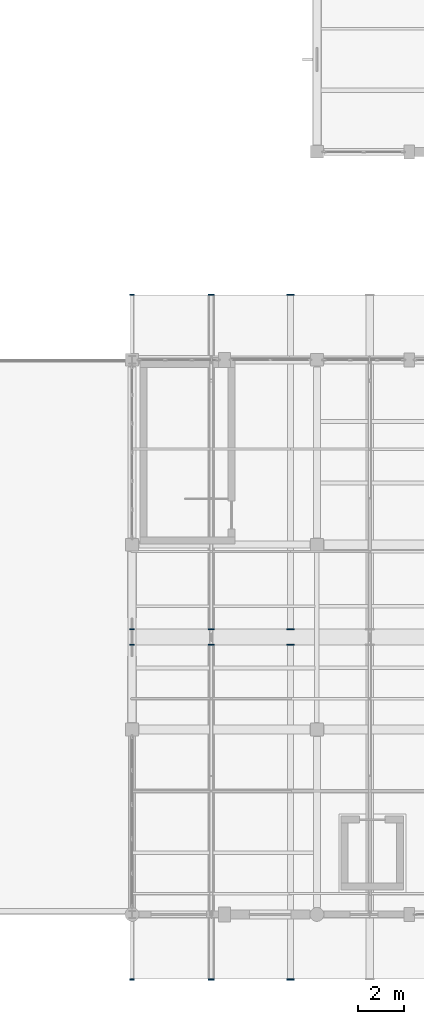
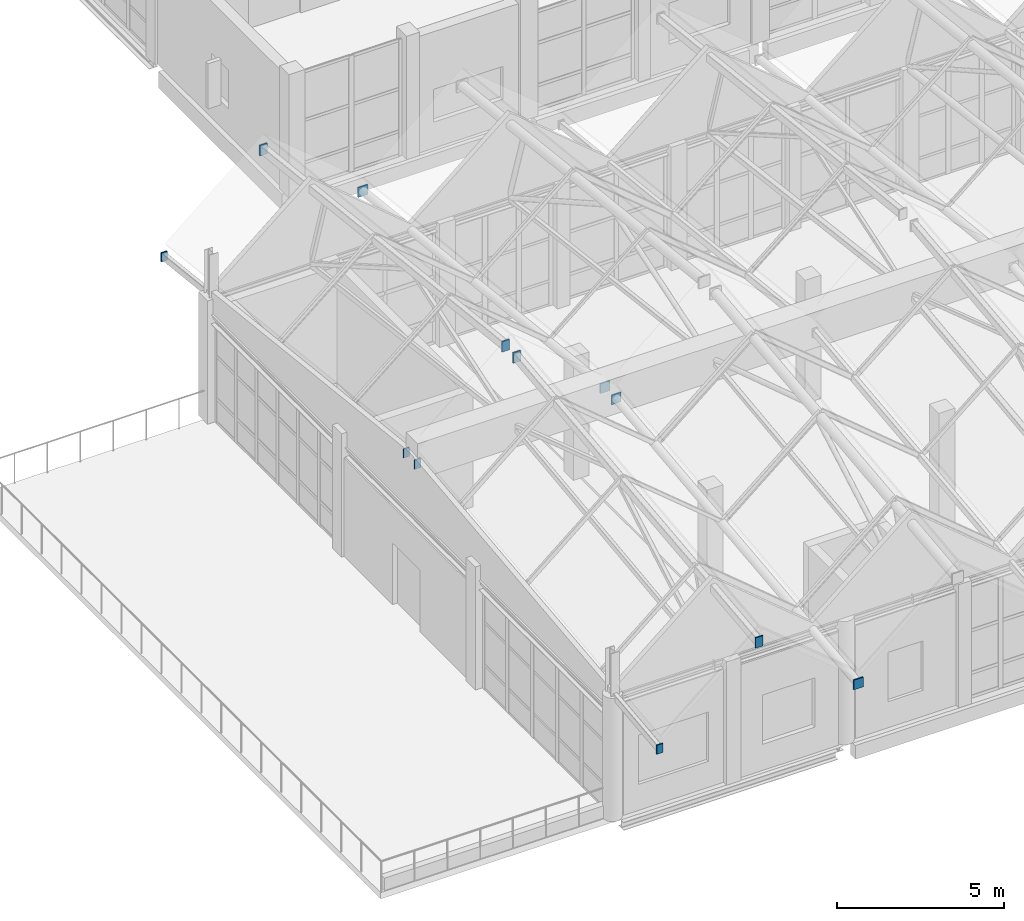
# One storey, part 156 of 183: 12 discrete accessories.
"""IFC4 building model written with IfcOpenShell, lengths in metres."""

from ifc_helpers import new_model, si_unit, direction, frame, origin, origin_2d, place, context, subcontext, project, spatial, rectangle, extrude, material, type_object, element, save


model = new_model("IFC4")

# Units and contexts
model_context = context("Model", 3, precision=1e-05, world=origin(), true_north=direction((0.0, 1.0)))
body_context = subcontext(model_context, "Body", "Model", "MODEL_VIEW")
ifc_project = project(units=[si_unit("LENGTHUNIT", "METRE"), si_unit("AREAUNIT", "SQUARE_METRE"), si_unit("VOLUMEUNIT", "CUBIC_METRE"), si_unit("PLANEANGLEUNIT", "RADIAN"), si_unit("MASSUNIT", "GRAM", prefix="KILO")], contexts=[model_context])

# Site, building, storey
site_placement = place(None, origin())
site = spatial("IfcSite", under=ifc_project, at=site_placement, CompositionType="ELEMENT")
building_placement = place(site_placement, origin())
building = spatial("IfcBuilding", under=site, at=building_placement, Name="Luwemba Playhouse", CompositionType="ELEMENT")
storey_placement = place(building_placement, frame((0.0, 0.0, 4.800048828125)))
storey = spatial("IfcBuildingStorey", under=building, at=storey_placement, Name="L01", CompositionType="ELEMENT", Elevation=4.800048828125)

# Discrete accessories
ifc_material = material(Name="Steel S355", Category="steel")
discrete_accessory_type = type_object("IfcDiscreteAccessoryType", Name="ACC-ENDCAP-S355", PredefinedType="BRACKET", material=ifc_material)
for number, where, z_axis, x_axis, name in (
    (1, (124.0, 0.18505859375, 3.99951171875), (0.0, 0.0, 1.0), (1.0, 0.0, 0.0), "Welded RHS end cap plate 0377"),
    (2, (124.0, 14.664794921875, 5.621337890625), (0.0, 0.0, 1.0), (1.0, 0.0, 0.0), "Welded RHS end cap plate 0378"),
    (3, (124.0, 15.335205078125, 5.621337890625), (0.0, 0.0, 1.0), (1.0, 0.0, 0.0), "Welded RHS end cap plate 0379"),
    (4, (124.0, 29.81494140625, 3.99951171875), (0.0, 0.0, 1.0), (1.0, 0.0, 0.0), "Welded RHS end cap plate 0380"),
):
    element("IfcDiscreteAccessory", number, at=place(storey_placement, frame(where, z_axis=z_axis, x_axis=x_axis)), inside=storey, type_object=discrete_accessory_type, Name=name, PredefinedType="BRACKET", context=body_context, shape_type="SweptSolid", body=[
        extrude(rectangle(XDim=0.2099609375, YDim=0.044921875, at=origin_2d()), origin(), (0.0, 0.0, 1.0), 0.330078125),
    ])
for number, where, z_axis, x_axis, name in (
    (5, (127.4287109375, 0.18505859375, 6.678955078125), (0.0, 0.0, 1.0), (1.0, 0.0, 0.0), "Welded RHS end cap plate 0381"),
    (6, (127.4287109375, 14.664794921875, 8.30078125), (0.0, 0.0, 1.0), (1.0, 0.0, 0.0), "Welded RHS end cap plate 0382"),
    (7, (127.4287109375, 15.335205078125, 8.30078125), (0.0, 0.0, 1.0), (1.0, 0.0, 0.0), "Welded RHS end cap plate 0383"),
    (8, (127.4287109375, 29.81494140625, 6.678955078125), (0.0, 0.0, 1.0), (1.0, 0.0, 0.0), "Welded RHS end cap plate 0384"),
):
    element("IfcDiscreteAccessory", number, at=place(storey_placement, frame(where, z_axis=z_axis, x_axis=x_axis)), inside=storey, type_object=discrete_accessory_type, Name=name, PredefinedType="BRACKET", context=body_context, shape_type="SweptSolid", body=[
        extrude(rectangle(XDim=0.260009765625, YDim=0.044921875, at=origin_2d()), origin(), (0.0, 0.0, 1.0), 0.3798828125),
    ])
for number, where, z_axis, x_axis, name in (
    (9, (130.857177734375, 0.18505859375, 3.9765625), (0.0, 0.0, 1.0), (1.0, 0.0, 0.0), "Welded RHS end cap plate 0385"),
    (10, (130.857177734375, 14.664794921875, 5.598388671875), (0.0, 0.0, 1.0), (1.0, 0.0, 0.0), "Welded RHS end cap plate 0386"),
    (11, (130.857177734375, 15.335205078125, 5.598388671875), (0.0, 0.0, 1.0), (1.0, 0.0, 0.0), "Welded RHS end cap plate 0387"),
    (12, (130.857177734375, 29.81494140625, 3.9765625), (0.0, 0.0, 1.0), (1.0, 0.0, 0.0), "Welded RHS end cap plate 0388"),
):
    element("IfcDiscreteAccessory", number, at=place(storey_placement, frame(where, z_axis=z_axis, x_axis=x_axis)), inside=storey, type_object=discrete_accessory_type, Name=name, PredefinedType="BRACKET", context=body_context, shape_type="SweptSolid", body=[
        extrude(rectangle(XDim=0.3330078125, YDim=0.044921875, at=origin_2d()), origin(), (0.0, 0.0, 1.0), 0.35302734375),
    ])

save(model, "model.ifc")
